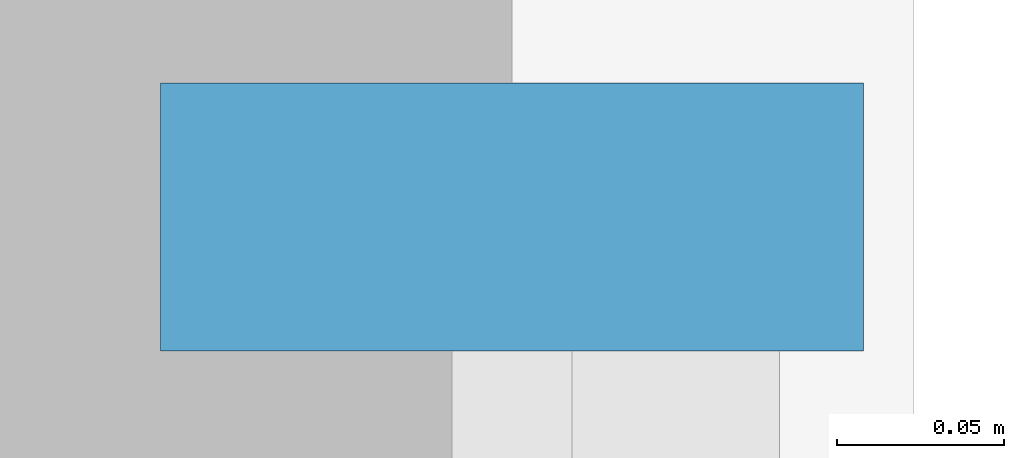
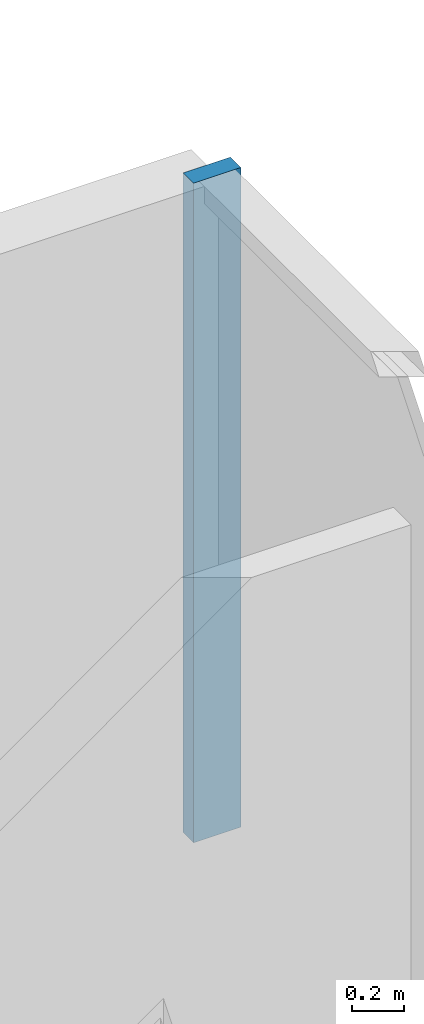
# One storey, part 5 of 12: 1 member, 1 element without a shape of its own.
"""IFC4 building model written with IfcOpenShell, lengths in metres."""

from ifc_helpers import new_model, si_unit, direction, frame, origin, origin_2d, place, context, subcontext, project, spatial, rectangle, extrude, source, transform, mapped, material, layer, layer_set, material_profile, profile_set, type_object, element, aggregate, save


model = new_model("IFC4")

# Units and contexts
model_context = context("Model", 3, precision=1e-05, world=origin(), true_north=direction((0.0, 1.0)))
body_context = subcontext(model_context, "Body", "Model", "MODEL_VIEW")
ifc_project = project(units=[si_unit("LENGTHUNIT", "METRE"), si_unit("AREAUNIT", "SQUARE_METRE"), si_unit("VOLUMEUNIT", "CUBIC_METRE"), si_unit("PLANEANGLEUNIT", "RADIAN"), si_unit("MASSUNIT", "GRAM", prefix="KILO")], contexts=[model_context])

# Site, building, storey
site_placement = place(None, origin())
site = spatial("IfcSite", under=ifc_project, at=site_placement, CompositionType="ELEMENT")
building_placement = place(site_placement, origin())
building = spatial("IfcBuilding", under=site, at=building_placement, Name="Qianlan Lanfeng Residences", CompositionType="ELEMENT")
storey_placement = place(building_placement, frame((0.0, 0.0, 121.300048828125)))
storey = spatial("IfcBuildingStorey", under=building, at=storey_placement, Name="L33", CompositionType="ELEMENT", Elevation=121.300048828125)

# Curtain wall, member
ifc_material = material(Name="Anodised Bronze Aluminium 6063-T6", Category="aluminium")
ifc_layer = layer(ifc_material, 0.219970703125)
ifc_layer_set = layer_set([ifc_layer], Name="Anodised Bronze Aluminium 6063-T6")
curtain_wall_type = type_object("IfcCurtainWallType", Name="CW-03", PredefinedType="NOTDEFINED", material=ifc_layer_set)
curtain_wall_placement = place(storey_placement, origin())
curtain_wall = element("IfcCurtainWall", 1, at=curtain_wall_placement, inside=storey, type_object=curtain_wall_type, Name="L33 Unitised Curtain Wall CWR-L33-05 (CW-03)", PredefinedType="NOTDEFINED")
ifc_material_profile = material_profile(ifc_material, rectangle(XDim=0.080078125, YDim=0.2099609375, at=origin_2d()), Name="ALU MULLION 80x210")
ifc_profile_set = profile_set([ifc_material_profile], Name="Anodised Bronze Aluminium 6063-T6")
member_type = type_object("IfcMemberType", Name="CWM-220", PredefinedType="MULLION", material=ifc_profile_set)
shared_shape = source(origin(), body_context, "Body", "SweptSolid", [
    extrude(rectangle(XDim=0.080078125, YDim=0.2099609375, at=origin_2d()), origin(), (0.0, 0.0, 1.0), 3.08984375),
])
member_placement = place(storey_placement, frame((51.3798828125, 35.2900390625, 0.0), z_axis=(0.0, 0.0, 1.0), x_axis=(0.0, 1.0, 0.0)))
member = element("IfcMember", 2, at=member_placement, type_object=member_type, Name="CWR-L33-05 Mullion 3", PredefinedType="MULLION", context=body_context, shape_type="MappedRepresentation", body=[
    mapped(shared_shape, transform((0.0, 0.0, 0.0), scale=1.0)),
])
aggregate(curtain_wall, [member])

save(model, "model.ifc")
